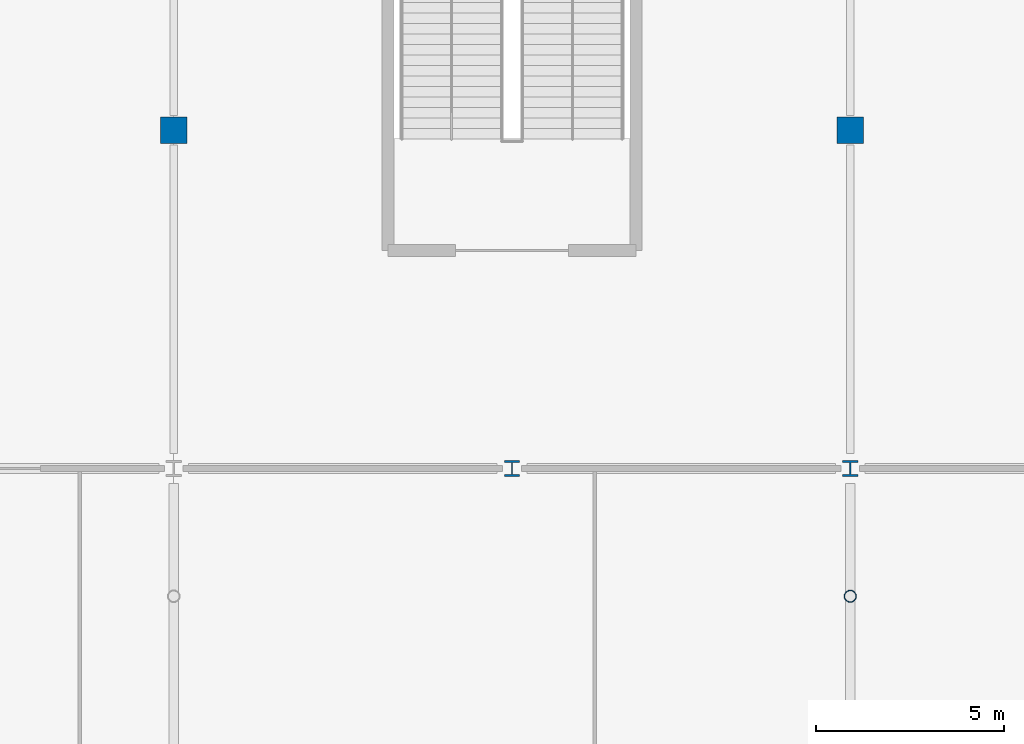
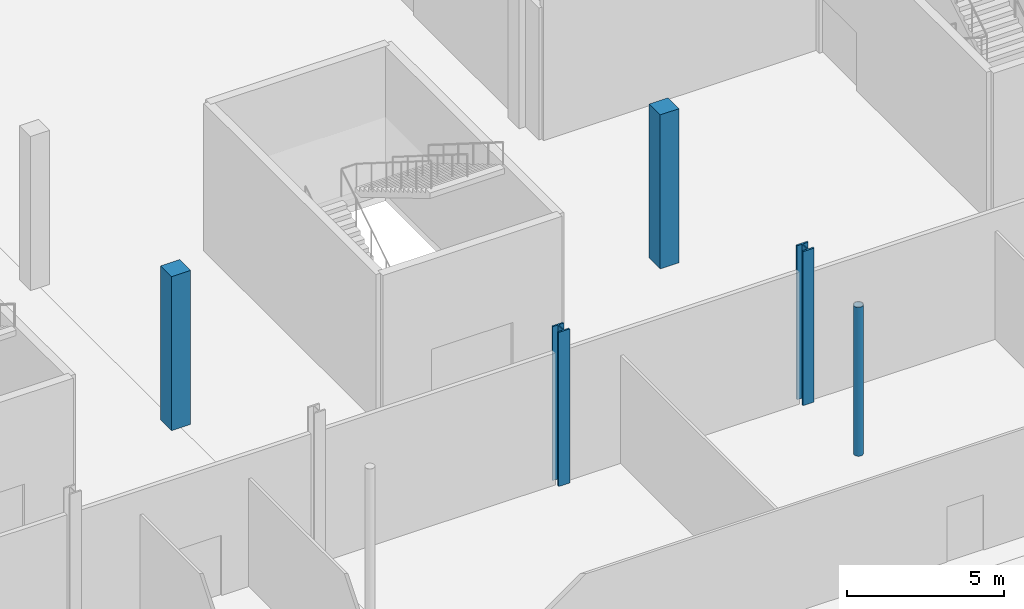
# One storey, part 8 of 84: 5 columns.
"""IFC4 building model written with IfcOpenShell, lengths in metres."""

from ifc_helpers import new_model, si_unit, direction, frame, origin, origin_2d, place, context, subcontext, project, spatial, rectangle, hollow_circle, i_section, extrude, material, material_profile, profile_set, type_object, element, save


model = new_model("IFC4")

# Units and contexts
model_context = context("Model", 3, precision=1e-05, world=origin(), true_north=direction((0.0, 1.0)))
body_context = subcontext(model_context, "Body", "Model", "MODEL_VIEW")
ifc_project = project(units=[si_unit("LENGTHUNIT", "METRE"), si_unit("AREAUNIT", "SQUARE_METRE"), si_unit("VOLUMEUNIT", "CUBIC_METRE"), si_unit("PLANEANGLEUNIT", "RADIAN"), si_unit("MASSUNIT", "GRAM", prefix="KILO")], contexts=[model_context])

# Site, building, storey
site_placement = place(None, origin())
site = spatial("IfcSite", under=ifc_project, at=site_placement, CompositionType="ELEMENT")
building_placement = place(site_placement, origin())
building = spatial("IfcBuilding", under=site, at=building_placement, Name="Kisiwana Market Hall", CompositionType="ELEMENT")
storey_placement = place(building_placement, origin())
storey = spatial("IfcBuildingStorey", under=building, at=storey_placement, Name="L00", CompositionType="ELEMENT", Elevation=0.0)

# Columns
ifc_material_1 = material(Name="Concrete C40/50", Category="concrete")
ifc_material_profile_1 = material_profile(ifc_material_1, rectangle(XDim=0.699951171875, YDim=0.699951171875, at=origin_2d()), Name="RC 700x700")
ifc_profile_set_1 = profile_set([ifc_material_profile_1], Name="Concrete C40/50")
column_type_1 = type_object("IfcColumnType", Name="COL-RC-POD-700", PredefinedType="COLUMN", material=ifc_profile_set_1)
for number, where, z_axis, x_axis, name in (
    (1, (99.0, 93.0, 0.0), (0.0, 0.0, 1.0), (1.0, 0.0, 0.0), "Column M/12 (L00) C-0260"),
    (2, (117.0, 93.0, 0.0), (0.0, 0.0, 1.0), (1.0, 0.0, 0.0), "Column M/14 (L00) C-0271"),
):
    element("IfcColumn", number, at=place(storey_placement, frame(where, z_axis=z_axis, x_axis=x_axis)), inside=storey, type_object=column_type_1, Name=name, PredefinedType="COLUMN", context=body_context, shape_type="SweptSolid", body=[
        extrude(rectangle(XDim=0.699951171875, YDim=0.699951171875, at=origin_2d()), origin(), (0.0, 0.0, 1.0), 6.0),
    ])
ifc_material_2 = material(Name="Steel S355", Category="steel")
ifc_material_profile_2 = material_profile(ifc_material_2, hollow_circle(Radius=0.161865234375, WallThickness=0.01611328125, at=origin_2d()), Name="CHS 323.9x16.0")
ifc_profile_set_2 = profile_set([ifc_material_profile_2], Name="Steel S355")
column_type_2 = type_object("IfcColumnType", Name="COL-STL-CHS324", PredefinedType="COLUMN", material=ifc_profile_set_2)
column_placement = place(storey_placement, frame((117.0, 80.60009765625, 0.0), z_axis=(0.0, 0.0, 1.0), x_axis=(1.0, 0.0, 0.0)))
element("IfcColumn", 3, at=column_placement, inside=storey, type_object=column_type_2, Name="Gallery post L/14 (L00) C-0341", PredefinedType="COLUMN", context=body_context, shape_type="SweptSolid", body=[
    extrude(hollow_circle(Radius=0.161865234375, WallThickness=0.01611328125, at=origin_2d()), origin(), (0.0, 0.0, 1.0), 5.800048828125),
])
ifc_material_3 = material(Name="Steel S355", Category="steel")
ifc_material_profile_3 = material_profile(ifc_material_3, i_section(OverallWidth=0.412109375, OverallDepth=0.43505859375, WebThickness=0.035888671875, FlangeThickness=0.05810546875, at=origin_2d()), Name="HD 400x463")
ifc_profile_set_3 = profile_set([ifc_material_profile_3], Name="Steel S355")
column_type_3 = type_object("IfcColumnType", Name="COL-STL-HD463", PredefinedType="COLUMN", material=ifc_profile_set_3)
for number, where, z_axis, x_axis, name in (
    (4, (108.0, 84.0, 0.0), (0.0, 0.0, 1.0), (1.0, 0.0, 0.0), "Column L/13 (L00) C-0265"),
    (5, (117.0, 84.0, 0.0), (0.0, 0.0, 1.0), (1.0, 0.0, 0.0), "Column L/14 (L00) C-0270"),
):
    element("IfcColumn", number, at=place(storey_placement, frame(where, z_axis=z_axis, x_axis=x_axis)), inside=storey, type_object=column_type_3, Name=name, PredefinedType="COLUMN", context=body_context, shape_type="SweptSolid", body=[
        extrude(i_section(OverallWidth=0.412109375, OverallDepth=0.43505859375, WebThickness=0.035888671875, FlangeThickness=0.05810546875, at=origin_2d()), origin(), (0.0, 0.0, 1.0), 6.0),
    ])

save(model, "model.ifc")
